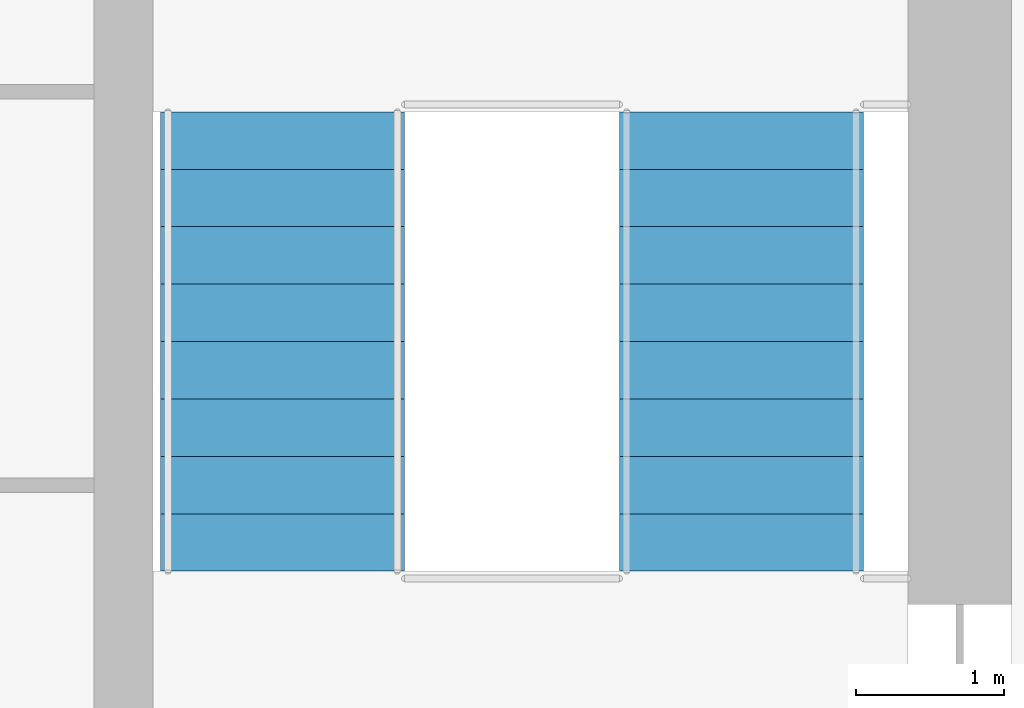
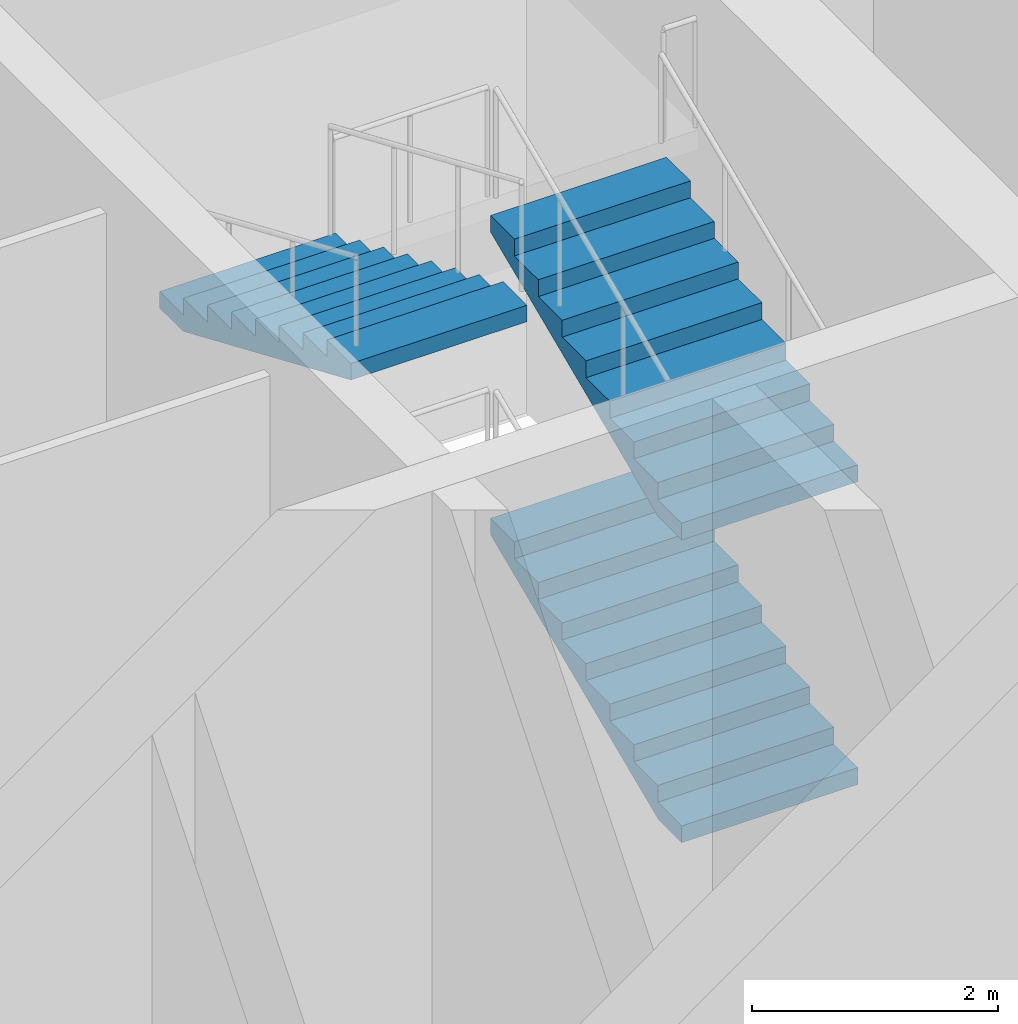
# One storey, part 16 of 25: 3 stair flights, 1 element without a shape of its own.
"""IFC4 building model written with IfcOpenShell, lengths in metres."""

import ifcopenshell
import ifcopenshell.guid

model = None  # the IFC model being written
_history = None  # IfcOwnerHistory: only IFC2X3 demands one
_inside = {}  # id of a spatial element -> (the spatial element, [elements in it])
_under = {}  # id of a project, library or spatial element -> (it, [spatial elements below it])
_declared = {}  # id of a project -> (the project, [libraries it declares])
_typed = {}  # id of a type object -> (the type object, [elements of that type])
_made_of = {}  # id of a material, layer set ... -> (it, [elements and type objects made of it])


def new_model(schema):
    """Start an empty IFC model of exactly this schema.

    Asked for "IFC4X3", IfcOpenShell would pick the latest addendum, in which some entities
    have other attributes; the version numbers below select the first issue.
    IFC2X3 requires an IfcOwnerHistory on every rooted entity: one is made here for all.
    """
    global model, _history
    if schema == "IFC4X3":
        model = ifcopenshell.file(schema_version=(4, 3, 0, 0))
    else:
        model = ifcopenshell.file(schema=schema)
    _inside.clear()
    _under.clear()
    _declared.clear()
    _typed.clear()
    _made_of.clear()
    _history = None
    if model.schema == "IFC2X3":
        org = make("IfcOrganization", Name="unknown")
        user = make(
            "IfcPersonAndOrganization",
            ThePerson=make("IfcPerson", FamilyName="unknown"),
            TheOrganization=org,
        )
        app = make(
            "IfcApplication",
            ApplicationDeveloper=org,
            Version="unknown",
            ApplicationFullName="unknown",
            ApplicationIdentifier="unknown",
        )
        _history = make(
            "IfcOwnerHistory",
            OwningUser=user,
            OwningApplication=app,
            ChangeAction="ADDED",
            CreationDate=0,
        )
    return model


def make(cls, **values):
    """One entity of the class cls with the attributes given. An attribute that is None is left unset."""
    return model.create_entity(
        cls, **{name: value for name, value in values.items() if value is not None}
    )


def rooted(cls, **values):
    """An entity with a GlobalId (a new one), such as an element, a storey or a relation."""
    return make(cls, GlobalId=ifcopenshell.guid.new(), OwnerHistory=_history, **values)


def si_unit(unit_type, name, prefix=None):
    """IfcSIUnit, for example si_unit("LENGTHUNIT", "METRE", prefix="MILLI")."""
    return make("IfcSIUnit", UnitType=unit_type, Prefix=prefix, Name=name)


def assignment(units):
    """IfcUnitAssignment: the units of a project."""
    return None if units is None else make("IfcUnitAssignment", Units=units)


def point(xyz):
    """IfcCartesianPoint."""
    return None if xyz is None else make("IfcCartesianPoint", Coordinates=xyz)


def direction(xyz):
    """IfcDirection."""
    return None if xyz is None else make("IfcDirection", DirectionRatios=xyz)


def frame(location, z_axis=None, x_axis=None):
    """IfcAxis2Placement3D, a coordinate frame: its origin and axes. An axis left out is left unset."""
    return make(
        "IfcAxis2Placement3D",
        Location=point(location),
        Axis=direction(z_axis),
        RefDirection=direction(x_axis),
    )


def origin():
    """The frame at (0, 0, 0) with its axes left unset."""
    return frame((0.0, 0.0, 0.0))


def place(relative_to, where):
    """IfcLocalPlacement: puts the frame where relative to a parent placement (None: the world)."""
    return make(
        "IfcLocalPlacement", PlacementRelTo=relative_to, RelativePlacement=where
    )


def context(
    kind, dimensions, precision=None, world=None, true_north=None, identifier=None
):
    """IfcGeometricRepresentationContext, for example the 3D "Model" context."""
    return make(
        "IfcGeometricRepresentationContext",
        ContextIdentifier=identifier,
        ContextType=kind,
        CoordinateSpaceDimension=dimensions,
        Precision=precision,
        WorldCoordinateSystem=world,
        TrueNorth=true_north,
    )


def subcontext(parent, identifier, kind, view, scale=None):
    """IfcGeometricRepresentationSubContext, for example "Body" below "Model"."""
    return make(
        "IfcGeometricRepresentationSubContext",
        ContextIdentifier=identifier,
        ContextType=kind,
        ParentContext=parent,
        TargetScale=scale,
        TargetView=view,
    )


def project(units=None, contexts=None):
    """IfcProject with its units and contexts."""
    return rooted(
        "IfcProject",
        Name="project",
        RepresentationContexts=contexts,
        UnitsInContext=assignment(units),
    )


def spatial(cls, under=None, at=None, **own):
    """A site, building, storey or space (cls), placed at a placement, below another one or the project."""
    s = rooted(cls, ObjectPlacement=at, **own)
    if under is not None:
        _under.setdefault(under.id(), (under, []))[1].append(s)
    return s


def polyline(points):
    """IfcPolyline through the points."""
    return make("IfcPolyline", Points=[point(p) for p in points])


def outline(outer, holes=None, kind="AREA"):
    """IfcArbitraryClosedProfileDef: a profile drawn as a closed curve; with holes, ...WithVoids."""
    if holes is None:
        return make("IfcArbitraryClosedProfileDef", ProfileType=kind, OuterCurve=outer)
    return make(
        "IfcArbitraryProfileDefWithVoids",
        ProfileType=kind,
        OuterCurve=outer,
        InnerCurves=holes,
    )


def extrude(swept, where, along, depth):
    """IfcExtrudedAreaSolid: the profile swept, set in the frame where, extruded along a direction by depth."""
    return make(
        "IfcExtrudedAreaSolid",
        SweptArea=swept,
        Position=where,
        ExtrudedDirection=direction(along),
        Depth=depth,
    )


def shape(context_of_items, identifier, shape_type, items):
    """IfcShapeRepresentation: the items that make up one representation, for example the "Body"."""
    return make(
        "IfcShapeRepresentation",
        ContextOfItems=context_of_items,
        RepresentationIdentifier=identifier,
        RepresentationType=shape_type,
        Items=items,
    )


def material(Name=None, Category=None):
    """IfcMaterial."""
    return make("IfcMaterial", Name=Name, Category=Category)


def made_of(thing, what):
    """Note that an element or type object is made of a material, layer set ...; save() writes the relation."""
    if what is not None:
        _made_of.setdefault(what.id(), (what, []))[1].append(thing)
    return thing


def type_object(cls, material=None, **own):
    """A type object (cls), such as IfcWallType, which elements share."""
    return made_of(rooted(cls, **own), material)


def element(
    cls,
    number,
    at=None,
    inside=None,
    cuts=None,
    type_object=None,
    material=None,
    context=None,
    identifier="Body",
    shape_type=None,
    held_by="IfcProductDefinitionShape",
    body=None,
    shapes=None,
    **own,
):
    """One element of the class cls, such as IfcWall. Its Tag is "e" and its number.

    at: its placement. inside: the storey or other place that contains it. cuts: it is an
    opening in that element (IfcRelVoidsElement). A single representation is given by context,
    identifier, shape_type and body (its items); several are given by shapes. held_by: the class
    of the entity that holds the representations. save() writes the other relations.
    """
    e = rooted(cls, Tag="e%d" % number, ObjectPlacement=at, **own)
    if body is not None:
        shapes = [shape(context, identifier, shape_type, body)]
    if shapes is not None:
        e.Representation = make(held_by, Representations=shapes)
    if inside is not None:
        _inside.setdefault(inside.id(), (inside, []))[1].append(e)
    if cuts is not None:
        rooted(
            "IfcRelVoidsElement", RelatingBuildingElement=cuts, RelatedOpeningElement=e
        )
    if type_object is not None:
        _typed.setdefault(type_object.id(), (type_object, []))[1].append(e)
    return made_of(e, material)


def aggregate(whole, parts):
    """IfcRelAggregates: a whole, such as a stair, and the parts it consists of."""
    return rooted("IfcRelAggregates", RelatingObject=whole, RelatedObjects=parts)


def save(model, path):
    """Write the relations noted so far, then the file.

    IfcRelAggregates (storeys below a building ...), IfcRelContainedInSpatialStructure (elements
    in a storey), IfcRelDefinesByType, IfcRelAssociatesMaterial and IfcRelDeclares: one each for
    every whole, place, type object, material and project.
    """
    for whole, parts in _under.values():
        aggregate(whole, parts)
    for where, things in _inside.values():
        rooted(
            "IfcRelContainedInSpatialStructure",
            RelatedElements=things,
            RelatingStructure=where,
        )
    for kind, things in _typed.values():
        rooted("IfcRelDefinesByType", RelatedObjects=things, RelatingType=kind)
    for what, things in _made_of.values():
        rooted("IfcRelAssociatesMaterial", RelatedObjects=things, RelatingMaterial=what)
    for by, libraries in _declared.values():
        rooted("IfcRelDeclares", RelatingContext=by, RelatedDefinitions=libraries)
    model.write(path)


model = new_model("IFC4")

# Units and contexts
model_context = context("Model", 3, precision=1e-05, world=origin(), true_north=direction((0.0, 1.0)))
body_context = subcontext(model_context, "Body", "Model", "MODEL_VIEW")
ifc_project = project(units=[si_unit("LENGTHUNIT", "METRE"), si_unit("AREAUNIT", "SQUARE_METRE"), si_unit("VOLUMEUNIT", "CUBIC_METRE"), si_unit("PLANEANGLEUNIT", "RADIAN"), si_unit("MASSUNIT", "GRAM", prefix="KILO")], contexts=[model_context])

# Site, building, storey
site_placement = place(None, origin())
site = spatial("IfcSite", under=ifc_project, at=site_placement, CompositionType="ELEMENT")
building_placement = place(site_placement, origin())
building = spatial("IfcBuilding", under=site, at=building_placement, Name="Corbel Stack Research Tower", CompositionType="ELEMENT")
storey_placement = place(building_placement, frame((0.0, 0.0, 260.300048828125)))
storey = spatial("IfcBuildingStorey", under=building, at=storey_placement, Name="L59", CompositionType="ELEMENT", Elevation=260.300048828125)

# Stair, stair flights
ifc_material_1 = material(Name="Concrete C40/50", Category="concrete")
stair_type = type_object("IfcStairType", Name="Exit stair 36 risers, 388 going", PredefinedType="HALF_TURN_STAIR", material=ifc_material_1)
stair_placement = place(storey_placement, origin())
stair = element("IfcStair", 1, at=stair_placement, inside=storey, type_object=stair_type, Name="L59 Exit stair ST-E2", PredefinedType="HALF_TURN_STAIR")
ifc_material_2 = material(Name="Concrete C40/50", Category="concrete")
stair_flight_type = type_object("IfcStairFlightType", Name="Stair flight 9 risers, 388 going", PredefinedType="STRAIGHT", material=ifc_material_2)
stair_flight_1_placement = place(storey_placement, frame((16.175048828125, 11.89990234375, 0.0), z_axis=(0.0, 0.0, 1.0), x_axis=(0.0, 1.0, 0.0)))
stair_flight_1 = element("IfcStairFlight", 2, at=stair_flight_1_placement, type_object=stair_flight_type, Name="ST-E2 flight 1", NumberOfRisers=9, NumberOfTreads=8, PredefinedType="STRAIGHT", RiserHeight=0.166666667, TreadLength=0.388, context=body_context, shape_type="SweptSolid", body=[
    extrude(outline(polyline([(0.0, 0.0), (0.0, 0.166748046875), (0.387939453125, 0.166748046875), (0.387939453125, 0.333251953125), (0.77587890625, 0.333251953125), (0.77587890625, 0.5), (1.1640625, 0.5), (1.1640625, 0.666748046875), (1.552001953125, 0.666748046875), (1.552001953125, 0.833251953125), (1.93994140625, 0.833251953125), (1.93994140625, 1.0), (2.327880859375, 1.0), (2.327880859375, 1.166748046875), (2.716064453125, 1.166748046875), (2.716064453125, 1.333251953125), (3.10400390625, 1.333251953125), (3.10400390625, 1.5), (3.10400390625, 1.170166015625), (0.3798828125, 0.0), (0.0, 0.0)])), frame((0.0, 0.824951171875, 0.0), z_axis=(0.0, -1.0, 0.0), x_axis=(1.0, 0.0, 0.0)), (0.0, 0.0, 1.0), 1.64990234375),
])
stair_flight_2_placement = place(storey_placement, frame((16.175048828125, 11.89990234375, 3.0), z_axis=(0.0, 0.0, 1.0), x_axis=(0.0, 1.0, 0.0)))
stair_flight_2 = element("IfcStairFlight", 3, at=stair_flight_2_placement, type_object=stair_flight_type, Name="ST-E2 flight 3", NumberOfRisers=9, NumberOfTreads=8, PredefinedType="STRAIGHT", RiserHeight=0.166666667, TreadLength=0.388, context=body_context, shape_type="SweptSolid", body=[
    extrude(outline(polyline([(0.0, 0.0), (0.0, 0.166748046875), (0.387939453125, 0.166748046875), (0.387939453125, 0.333251953125), (0.77587890625, 0.333251953125), (0.77587890625, 0.5), (1.1640625, 0.5), (1.1640625, 0.666748046875), (1.552001953125, 0.666748046875), (1.552001953125, 0.833251953125), (1.93994140625, 0.833251953125), (1.93994140625, 1.0), (2.327880859375, 1.0), (2.327880859375, 1.166748046875), (2.716064453125, 1.166748046875), (2.716064453125, 1.333251953125), (3.10400390625, 1.333251953125), (3.10400390625, 1.5), (3.10400390625, 1.170166015625), (0.3798828125, 0.0), (0.0, 0.0)])), frame((0.0, 0.824951171875, 0.0), z_axis=(0.0, -1.0, 0.0), x_axis=(1.0, 0.0, 0.0)), (0.0, 0.0, 1.0), 1.64990234375),
])
stair_flight_3_placement = place(storey_placement, frame((13.074951171875, 15.00390625, 4.5), z_axis=(0.0, 0.0, 1.0), x_axis=(0.0, -1.0, 0.0)))
stair_flight_3 = element("IfcStairFlight", 4, at=stair_flight_3_placement, type_object=stair_flight_type, Name="ST-E2 flight 4", NumberOfRisers=9, NumberOfTreads=8, PredefinedType="STRAIGHT", RiserHeight=0.166666667, TreadLength=0.388, context=body_context, shape_type="SweptSolid", body=[
    extrude(outline(polyline([(0.0, 0.0), (0.0, 0.166748046875), (0.387939453125, 0.166748046875), (0.387939453125, 0.333251953125), (0.77587890625, 0.333251953125), (0.77587890625, 0.5), (1.1640625, 0.5), (1.1640625, 0.666748046875), (1.552001953125, 0.666748046875), (1.552001953125, 0.833251953125), (1.93994140625, 0.833251953125), (1.93994140625, 1.0), (2.327880859375, 1.0), (2.327880859375, 1.166748046875), (2.716064453125, 1.166748046875), (2.716064453125, 1.333251953125), (3.10400390625, 1.333251953125), (3.10400390625, 1.5), (3.10400390625, 1.170166015625), (0.3798828125, 0.0), (0.0, 0.0)])), frame((0.0, 0.824951171875, 0.0), z_axis=(0.0, -1.0, 0.0), x_axis=(1.0, 0.0, 0.0)), (0.0, 0.0, 1.0), 1.64990234375),
])
aggregate(stair, [stair_flight_1, stair_flight_2, stair_flight_3])

save(model, "model.ifc")
